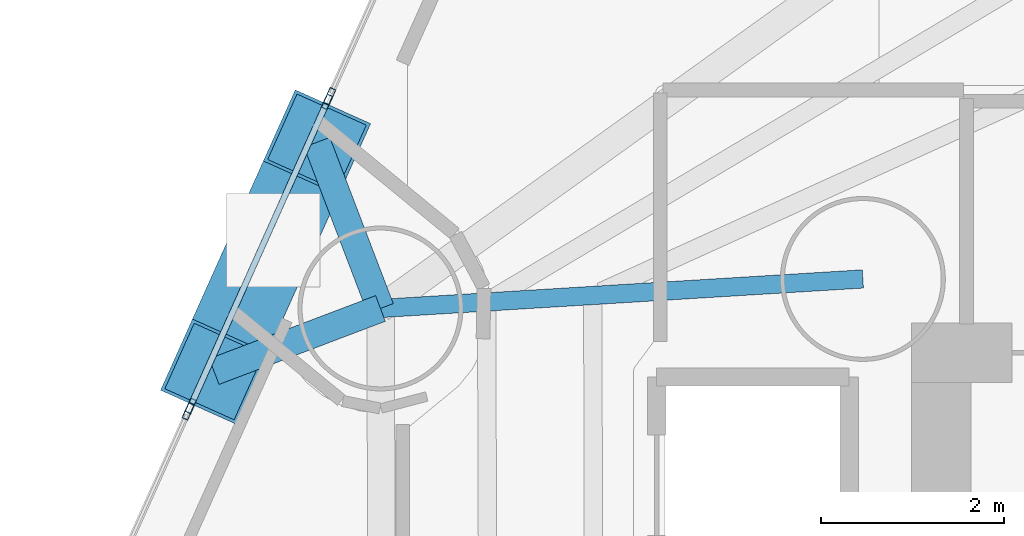
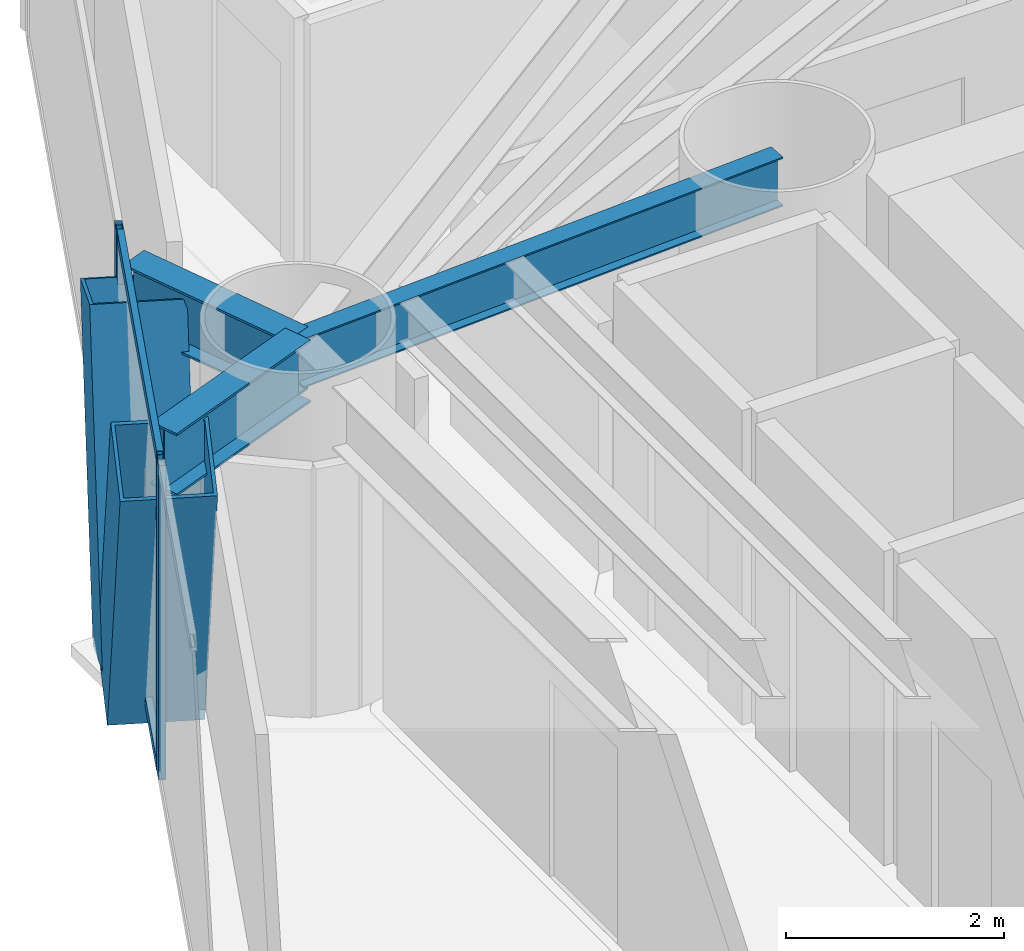
# One storey, part 7 of 22: 8 members, 3 beams, 3 elements without a shape of their own.
"""IFC4 building model written with IfcOpenShell, lengths in metres."""

from ifc_helpers import new_model, si_unit, direction, frame, origin, origin_2d, place, context, subcontext, project, spatial, hollow_rectangle, i_section, extrude, material, layer, layer_set, material_profile, profile_set, type_object, element, aggregate, save


model = new_model("IFC4")

# Units and contexts
model_context = context("Model", 3, precision=1e-05, world=origin(), true_north=direction((0.0, 1.0)))
body_context = subcontext(model_context, "Body", "Model", "MODEL_VIEW")
ifc_project = project(units=[si_unit("LENGTHUNIT", "METRE"), si_unit("AREAUNIT", "SQUARE_METRE"), si_unit("VOLUMEUNIT", "CUBIC_METRE"), si_unit("PLANEANGLEUNIT", "RADIAN"), si_unit("MASSUNIT", "GRAM", prefix="KILO")], contexts=[model_context])

# Site, building, storey
site_placement = place(None, origin())
site = spatial("IfcSite", under=ifc_project, at=site_placement, CompositionType="ELEMENT")
building_placement = place(site_placement, origin())
building = spatial("IfcBuilding", under=site, at=building_placement, Name="Qianvela Tower", CompositionType="ELEMENT")
storey_placement = place(building_placement, frame((0.0, 0.0, 40.5)))
storey = spatial("IfcBuildingStorey", under=building, at=storey_placement, Name="L09", CompositionType="ELEMENT", Elevation=40.5)

# Beams
ifc_material_1 = material(Name="Steel Q355B", Category="steel")
ifc_material_profile_1 = material_profile(ifc_material_1, i_section(OverallWidth=0.199951171875, OverallDepth=0.550048828125, WebThickness=0.010009765625, FlangeThickness=0.01611328125, at=origin_2d()), Name="HN550x200x10x16")
ifc_profile_set_1 = profile_set([ifc_material_profile_1], Name="Steel Q355B")
beam_type_1 = type_object("IfcBeamType", Name="BM-HN550-GIRD", PredefinedType="BEAM", material=ifc_profile_set_1)
beam_1_placement = place(storey_placement, frame((28.60009765625, 33.550048828125, 3.242919921875), z_axis=(-0.998132820146, -0.061080875465, 0.0), x_axis=(0.061080875465, -0.998132820146, 0.0)))
element("IfcBeam", 1, at=beam_1_placement, inside=storey, type_object=beam_type_1, Name="L09 Radial Primary Floor Girder 4", PredefinedType="BEAM", context=body_context, shape_type="SweptSolid", body=[
    extrude(i_section(OverallWidth=0.199951171875, OverallDepth=0.550048828125, WebThickness=0.010009765625, FlangeThickness=0.01611328125, at=origin_2d()), origin(), (0.0, 0.0, 1.0), 5.27197265625),
])
ifc_material_2 = material(Name="Steel Q355B", Category="steel")
ifc_material_profile_2 = material_profile(ifc_material_2, i_section(OverallWidth=0.300048828125, OverallDepth=0.699951171875, WebThickness=0.012939453125, FlangeThickness=0.02392578125, at=origin_2d()), Name="HN700x300x13x24")
ifc_profile_set_2 = profile_set([ifc_material_profile_2], Name="Steel Q355B")
beam_type_2 = type_object("IfcBeamType", Name="BM-HN700-SPAND", PredefinedType="SPANDREL", material=ifc_profile_set_2)
beam_2_placement = place(storey_placement, frame((23.337890625, 33.22802734375, 3.16796875), z_axis=(-0.356963110507, 0.934118481638, 0.0), x_axis=(-0.934118481638, -0.356963110507, 0.0)))
element("IfcBeam", 2, at=beam_2_placement, inside=storey, type_object=beam_type_2, Name="L09 Mega-Brace Column Tie Bracket F2-1", PredefinedType="SPANDREL", context=body_context, shape_type="SweptSolid", body=[
    extrude(i_section(OverallWidth=0.300048828125, OverallDepth=0.699951171875, WebThickness=0.012939453125, FlangeThickness=0.02392578125, at=origin_2d()), origin(), (0.0, 0.0, 1.0), 1.9404296875),
])
beam_3_placement = place(storey_placement, frame((23.337890625, 33.22802734375, 3.16796875), z_axis=(-0.935024860305, -0.354582163415, 0.0), x_axis=(0.354582163415, -0.935024860305, 0.0)))
element("IfcBeam", 3, at=beam_3_placement, inside=storey, type_object=beam_type_2, Name="L09 Mega-Brace Column Tie Bracket F2-2", PredefinedType="SPANDREL", context=body_context, shape_type="SweptSolid", body=[
    extrude(i_section(OverallWidth=0.300048828125, OverallDepth=0.699951171875, WebThickness=0.012939453125, FlangeThickness=0.02392578125, at=origin_2d()), origin(), (0.0, 0.0, 1.0), 1.940185546875),
])

# Curtain wall, members
ifc_material_3 = material(Name="Anodised Architectural Aluminium and Insulated Spandrel Panel", Category="aluminium")
ifc_layer_1 = layer(ifc_material_3, 0.179931640625)
ifc_layer_set_1 = layer_set([ifc_layer_1], Name="Anodised Architectural Aluminium and Insulated Spandrel Panel")
curtain_wall_type_1 = type_object("IfcCurtainWallType", Name="CW-BRACEBAY", PredefinedType="USERDEFINED", material=ifc_layer_set_1)
curtain_wall_1_placement = place(storey_placement, origin())
curtain_wall_1 = element("IfcCurtainWall", 4, at=curtain_wall_1_placement, inside=storey, type_object=curtain_wall_type_1, Name="L09 CW-BRACEBAY Curtain Wall 04B", ObjectType="CURTAIN_WALL_SYSTEM", PredefinedType="USERDEFINED")
ifc_material_4 = material(Name="Anodised Architectural Aluminium 6063-T6", Category="aluminium")
ifc_material_profile_3 = material_profile(ifc_material_4, hollow_rectangle(XDim=0.06494140625, YDim=0.159912109375, WallThickness=0.0048828125, at=origin_2d()), Name="ALU-MULL-65x160")
ifc_profile_set_3 = profile_set([ifc_material_profile_3], Name="Anodised Architectural Aluminium 6063-T6")
member_type_1 = type_object("IfcMemberType", Name="CW-BRACEBAY-MULL", PredefinedType="MULLION", material=ifc_profile_set_3)
member_1_placement = place(storey_placement, frame((22.755615234375, 35.482421875, 0.0), z_axis=(0.0, 0.0, 1.0), x_axis=(0.912411893614, -0.40927318064, 0.0)))
member_1 = element("IfcMember", 5, at=member_1_placement, type_object=member_type_1, Name="CW-9 mullion 1", PredefinedType="MULLION", context=body_context, shape_type="SweptSolid", body=[
    extrude(hollow_rectangle(XDim=0.06494140625, YDim=0.159912109375, WallThickness=0.0048828125, at=origin_2d()), origin(), (0.0, 0.0, 1.0), 3.52001953125),
])
member_2_placement = place(storey_placement, frame((21.26806640625, 32.165771484375, 0.0), z_axis=(0.0, 0.0, 1.0), x_axis=(0.912411893614, -0.40927318064, 0.0)))
member_2 = element("IfcMember", 6, at=member_2_placement, type_object=member_type_1, Name="CW-9 mullion 2", PredefinedType="MULLION", context=body_context, shape_type="SweptSolid", body=[
    extrude(hollow_rectangle(XDim=0.06494140625, YDim=0.159912109375, WallThickness=0.0048828125, at=origin_2d()), origin(), (0.0, 0.0, 1.0), 3.52001953125),
])
ifc_material_5 = material(Name="Anodised Architectural Aluminium 6063-T6", Category="aluminium")
ifc_material_profile_4 = material_profile(ifc_material_5, hollow_rectangle(XDim=0.06494140625, YDim=0.1298828125, WallThickness=0.00439453125, at=origin_2d()), Name="ALU-TRAN-65x130")
ifc_profile_set_4 = profile_set([ifc_material_profile_4], Name="Anodised Architectural Aluminium 6063-T6")
member_type_2 = type_object("IfcMemberType", Name="CW-BRACEBAY-TRAN", PredefinedType="USERDEFINED", material=ifc_profile_set_4)
member_3_placement = place(storey_placement, frame((22.742431640625, 35.452880859375, 0.032470703125), z_axis=(-0.409289553759, -0.912404549081, 0.0), x_axis=(0.912404549081, -0.409289553759, 0.0)))
member_3 = element("IfcMember", 7, at=member_3_placement, type_object=member_type_2, Name="CW-9 transom 1.1", ObjectType="TRANSOM", PredefinedType="USERDEFINED", context=body_context, shape_type="SweptSolid", body=[
    extrude(hollow_rectangle(XDim=0.06494140625, YDim=0.1298828125, WallThickness=0.00439453125, at=origin_2d()), origin(), (0.0, 0.0, 1.0), 3.570068359375),
])
member_4_placement = place(storey_placement, frame((22.742431640625, 35.452880859375, 3.487548828125), z_axis=(-0.409289553759, -0.912404549081, 0.0), x_axis=(0.912404549081, -0.409289553759, 0.0)))
member_4 = element("IfcMember", 8, at=member_4_placement, type_object=member_type_2, Name="CW-9 transom 1.2", ObjectType="TRANSOM", PredefinedType="USERDEFINED", context=body_context, shape_type="SweptSolid", body=[
    extrude(hollow_rectangle(XDim=0.06494140625, YDim=0.1298828125, WallThickness=0.00439453125, at=origin_2d()), origin(), (0.0, 0.0, 1.0), 3.570068359375),
])
aggregate(curtain_wall_1, [member_1, member_2, member_3, member_4])

# Curtain wall, member
ifc_material_6 = material(Name="Anodised Architectural Aluminium and Low-E Glass", Category="aluminium")
ifc_layer_2 = layer(ifc_material_6, 0.179931640625)
ifc_layer_set_2 = layer_set([ifc_layer_2], Name="Anodised Architectural Aluminium and Low-E Glass")
curtain_wall_type_2 = type_object("IfcCurtainWallType", Name="CW-COLIV-Z12", PredefinedType="USERDEFINED", material=ifc_layer_set_2)
curtain_wall_2_placement = place(storey_placement, origin())
curtain_wall_2 = element("IfcCurtainWall", 9, at=curtain_wall_2_placement, inside=storey, type_object=curtain_wall_type_2, Name="L09 CW-COLIV-Z12 Curtain Wall 04A", ObjectType="CURTAIN_WALL_SYSTEM", PredefinedType="USERDEFINED")
ifc_material_7 = material(Name="Anodised Architectural Aluminium 6063-T6", Category="aluminium")
ifc_material_profile_5 = material_profile(ifc_material_7, hollow_rectangle(XDim=0.070068359375, YDim=0.179931640625, WallThickness=0.0048828125, at=origin_2d()), Name="ALU-MULL-70x180")
ifc_profile_set_5 = profile_set([ifc_material_profile_5], Name="Anodised Architectural Aluminium 6063-T6")
member_type_3 = type_object("IfcMemberType", Name="CW-COLIV-Z12-MULL", PredefinedType="MULLION", material=ifc_profile_set_5)
member_5_placement = place(storey_placement, frame((22.783203125, 35.5439453125, 0.0), z_axis=(0.0, 0.0, 1.0), x_axis=(0.912406293338, -0.409285665371, 0.0)))
member_5 = element("IfcMember", 10, at=member_5_placement, type_object=member_type_3, Name="CW-3 mullion 2", PredefinedType="MULLION", context=body_context, shape_type="SweptSolid", body=[
    extrude(hollow_rectangle(XDim=0.070068359375, YDim=0.179931640625, WallThickness=0.0048828125, at=origin_2d()), origin(), (0.0, 0.0, 1.0), 3.52001953125),
])
aggregate(curtain_wall_2, [member_5])

curtain_wall_3_placement = place(storey_placement, origin())
curtain_wall_3 = element("IfcCurtainWall", 11, at=curtain_wall_3_placement, inside=storey, type_object=curtain_wall_type_2, Name="L09 CW-COLIV-Z12 Curtain Wall 04C", ObjectType="CURTAIN_WALL_SYSTEM", PredefinedType="USERDEFINED")
member_6_placement = place(storey_placement, frame((21.240478515625, 32.104248046875, 0.0), z_axis=(0.0, 0.0, 1.0), x_axis=(0.912408415339, -0.409280934835, 0.0)))
member_6 = element("IfcMember", 12, at=member_6_placement, type_object=member_type_3, Name="CW-3 mullion 1", PredefinedType="MULLION", context=body_context, shape_type="SweptSolid", body=[
    extrude(hollow_rectangle(XDim=0.070068359375, YDim=0.179931640625, WallThickness=0.0048828125, at=origin_2d()), origin(), (0.0, 0.0, 1.0), 3.52001953125),
])
aggregate(curtain_wall_3, [member_6])

# Members
ifc_material_8 = material(Name="Steel Q420GJC", Category="steel")
ifc_material_profile_6 = material_profile(ifc_material_8, hollow_rectangle(XDim=0.89990234375, YDim=0.89990234375, WallThickness=0.035888671875, at=origin_2d()), Name="MBOX-900x900x36")
ifc_profile_set_6 = profile_set([ifc_material_profile_6], Name="Steel Q420GJC")
member_type_4 = type_object("IfcMemberType", Name="MBR-MBRACE-900", PredefinedType="BRACE", material=ifc_profile_set_6)
for number, where, z_axis, x_axis, name in (
    (13, (22.17431640625, 33.9912109375, -0.139892578125), (0.134475136735, 0.299623710568, 0.944532725566), (-0.912326178604, 0.409464215572, 0.0), "L09 Tier 1 Exterior Mega-Brace F2A"),
    (14, (21.994384765625, 33.589599609375, -0.139892578125), (-0.134403876355, -0.299689971189, 0.944521846857), (0.912441015156, -0.409208252436, 0.0), "L09 Tier 1 Exterior Mega-Brace F2B"),
):
    element("IfcMember", number, at=place(storey_placement, frame(where, z_axis=z_axis, x_axis=x_axis)), inside=storey, type_object=member_type_4, Name=name, PredefinedType="BRACE", context=body_context, shape_type="SweptSolid", body=[
        extrude(hollow_rectangle(XDim=0.89990234375, YDim=0.89990234375, WallThickness=0.035888671875, at=origin_2d()), origin(), (0.0, 0.0, 1.0), 3.502197265625),
    ])

save(model, "model.ifc")
